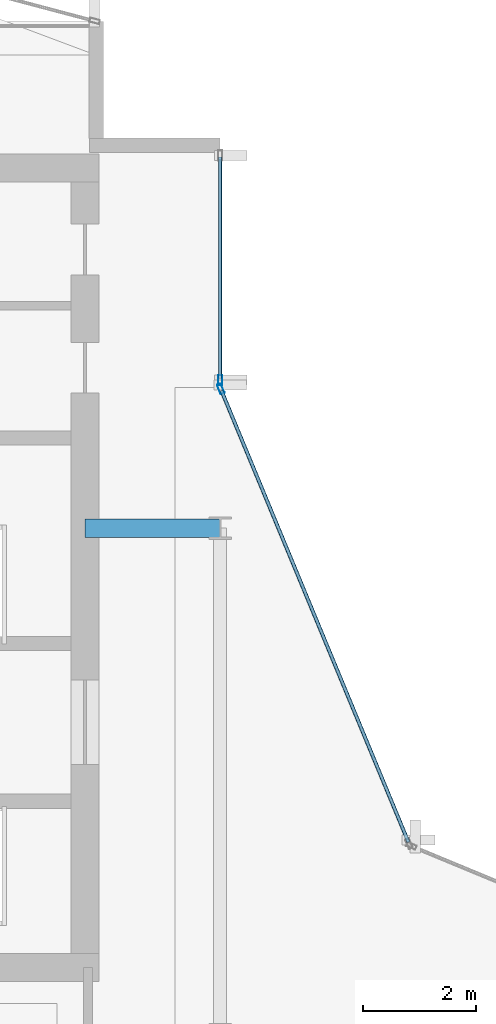
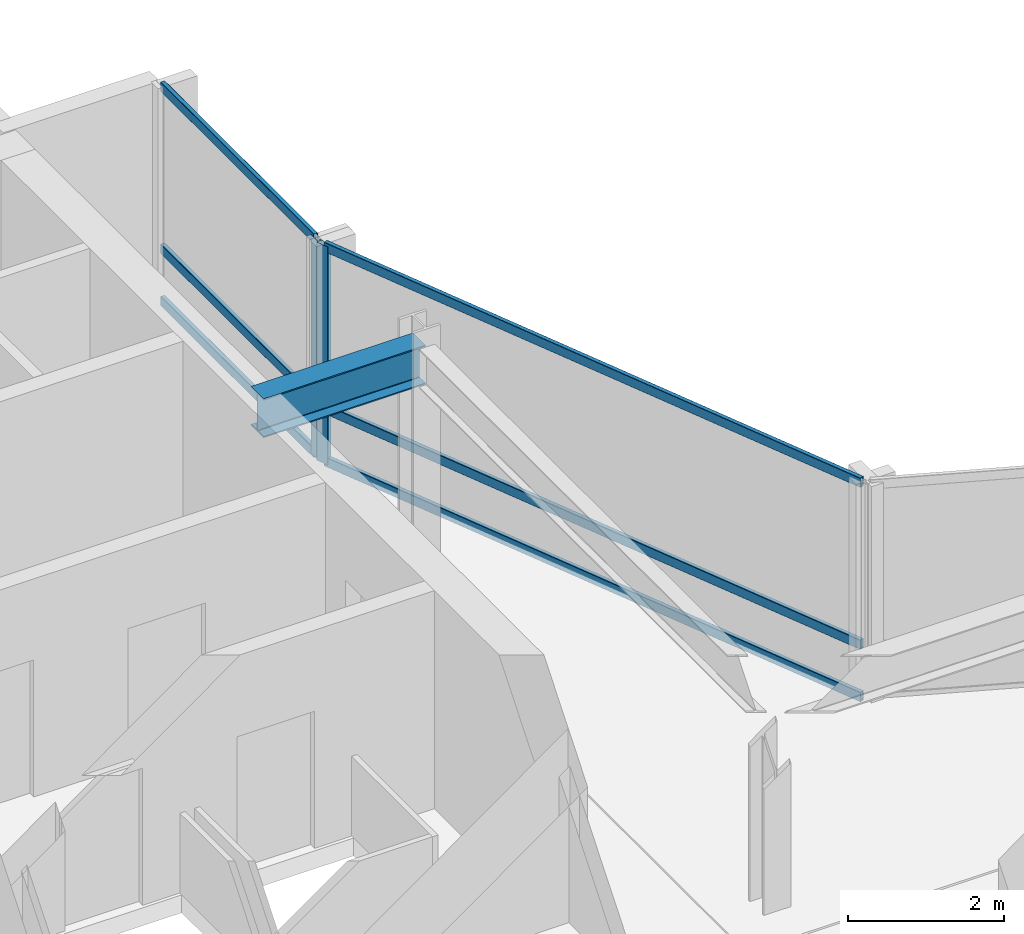
# One storey, part 17 of 28: 8 members, 1 beam, 2 elements without a shape of their own.
"""IFC4 building model written with IfcOpenShell, lengths in metres."""

import ifcopenshell
import ifcopenshell.guid

model = None  # the IFC model being written
_history = None  # IfcOwnerHistory: only IFC2X3 demands one
_inside = {}  # id of a spatial element -> (the spatial element, [elements in it])
_under = {}  # id of a project, library or spatial element -> (it, [spatial elements below it])
_declared = {}  # id of a project -> (the project, [libraries it declares])
_typed = {}  # id of a type object -> (the type object, [elements of that type])
_made_of = {}  # id of a material, layer set ... -> (it, [elements and type objects made of it])


def new_model(schema):
    """Start an empty IFC model of exactly this schema.

    Asked for "IFC4X3", IfcOpenShell would pick the latest addendum, in which some entities
    have other attributes; the version numbers below select the first issue.
    IFC2X3 requires an IfcOwnerHistory on every rooted entity: one is made here for all.
    """
    global model, _history
    if schema == "IFC4X3":
        model = ifcopenshell.file(schema_version=(4, 3, 0, 0))
    else:
        model = ifcopenshell.file(schema=schema)
    _inside.clear()
    _under.clear()
    _declared.clear()
    _typed.clear()
    _made_of.clear()
    _history = None
    if model.schema == "IFC2X3":
        org = make("IfcOrganization", Name="unknown")
        user = make(
            "IfcPersonAndOrganization",
            ThePerson=make("IfcPerson", FamilyName="unknown"),
            TheOrganization=org,
        )
        app = make(
            "IfcApplication",
            ApplicationDeveloper=org,
            Version="unknown",
            ApplicationFullName="unknown",
            ApplicationIdentifier="unknown",
        )
        _history = make(
            "IfcOwnerHistory",
            OwningUser=user,
            OwningApplication=app,
            ChangeAction="ADDED",
            CreationDate=0,
        )
    return model


def make(cls, **values):
    """One entity of the class cls with the attributes given. An attribute that is None is left unset."""
    return model.create_entity(
        cls, **{name: value for name, value in values.items() if value is not None}
    )


def rooted(cls, **values):
    """An entity with a GlobalId (a new one), such as an element, a storey or a relation."""
    return make(cls, GlobalId=ifcopenshell.guid.new(), OwnerHistory=_history, **values)


def si_unit(unit_type, name, prefix=None):
    """IfcSIUnit, for example si_unit("LENGTHUNIT", "METRE", prefix="MILLI")."""
    return make("IfcSIUnit", UnitType=unit_type, Prefix=prefix, Name=name)


def assignment(units):
    """IfcUnitAssignment: the units of a project."""
    return None if units is None else make("IfcUnitAssignment", Units=units)


def point(xyz):
    """IfcCartesianPoint."""
    return None if xyz is None else make("IfcCartesianPoint", Coordinates=xyz)


def direction(xyz):
    """IfcDirection."""
    return None if xyz is None else make("IfcDirection", DirectionRatios=xyz)


def frame(location, z_axis=None, x_axis=None):
    """IfcAxis2Placement3D, a coordinate frame: its origin and axes. An axis left out is left unset."""
    return make(
        "IfcAxis2Placement3D",
        Location=point(location),
        Axis=direction(z_axis),
        RefDirection=direction(x_axis),
    )


def frame_2d(location, x_axis=None):
    """IfcAxis2Placement2D, a coordinate frame in the plane: its origin and x axis."""
    return make(
        "IfcAxis2Placement2D", Location=point(location), RefDirection=direction(x_axis)
    )


def origin():
    """The frame at (0, 0, 0) with its axes left unset."""
    return frame((0.0, 0.0, 0.0))


def origin_2d():
    """The frame at (0, 0) in the plane with its x axis left unset."""
    return frame_2d((0.0, 0.0))


def place(relative_to, where):
    """IfcLocalPlacement: puts the frame where relative to a parent placement (None: the world)."""
    return make(
        "IfcLocalPlacement", PlacementRelTo=relative_to, RelativePlacement=where
    )


def context(
    kind, dimensions, precision=None, world=None, true_north=None, identifier=None
):
    """IfcGeometricRepresentationContext, for example the 3D "Model" context."""
    return make(
        "IfcGeometricRepresentationContext",
        ContextIdentifier=identifier,
        ContextType=kind,
        CoordinateSpaceDimension=dimensions,
        Precision=precision,
        WorldCoordinateSystem=world,
        TrueNorth=true_north,
    )


def subcontext(parent, identifier, kind, view, scale=None):
    """IfcGeometricRepresentationSubContext, for example "Body" below "Model"."""
    return make(
        "IfcGeometricRepresentationSubContext",
        ContextIdentifier=identifier,
        ContextType=kind,
        ParentContext=parent,
        TargetScale=scale,
        TargetView=view,
    )


def project(units=None, contexts=None):
    """IfcProject with its units and contexts."""
    return rooted(
        "IfcProject",
        Name="project",
        RepresentationContexts=contexts,
        UnitsInContext=assignment(units),
    )


def spatial(cls, under=None, at=None, **own):
    """A site, building, storey or space (cls), placed at a placement, below another one or the project."""
    s = rooted(cls, ObjectPlacement=at, **own)
    if under is not None:
        _under.setdefault(under.id(), (under, []))[1].append(s)
    return s


def profile(cls, at=None, kind="AREA", **sizes):
    """A parametric profile (cls). Its sizes go by their IFC names, for example OverallWidth=200.0."""
    return make(cls, ProfileType=kind, Position=at, **sizes)


def hollow_rectangle(**sizes):
    """IfcRectangleHollowProfileDef."""
    return profile("IfcRectangleHollowProfileDef", **sizes)


def i_section(**sizes):
    """IfcIShapeProfileDef."""
    return profile("IfcIShapeProfileDef", **sizes)


def extrude(swept, where, along, depth):
    """IfcExtrudedAreaSolid: the profile swept, set in the frame where, extruded along a direction by depth."""
    return make(
        "IfcExtrudedAreaSolid",
        SweptArea=swept,
        Position=where,
        ExtrudedDirection=direction(along),
        Depth=depth,
    )


def shape(context_of_items, identifier, shape_type, items):
    """IfcShapeRepresentation: the items that make up one representation, for example the "Body"."""
    return make(
        "IfcShapeRepresentation",
        ContextOfItems=context_of_items,
        RepresentationIdentifier=identifier,
        RepresentationType=shape_type,
        Items=items,
    )


def material(Name=None, Category=None):
    """IfcMaterial."""
    return make("IfcMaterial", Name=Name, Category=Category)


def layer(
    of_material, thickness, ventilated=None, Name=None, Category=None, Priority=None
):
    """IfcMaterialLayer: one layer of a wall or slab, of a material (None: an air gap)."""
    return make(
        "IfcMaterialLayer",
        Material=of_material,
        LayerThickness=thickness,
        IsVentilated=ventilated,
        Name=Name,
        Category=Category,
        Priority=Priority,
    )


def layer_set(layers, Name=None):
    """IfcMaterialLayerSet."""
    return make("IfcMaterialLayerSet", MaterialLayers=layers, LayerSetName=Name)


def material_profile(
    of_material, cross_section, Name=None, Category=None, Priority=None
):
    """IfcMaterialProfile: a cross section and its material."""
    return make(
        "IfcMaterialProfile",
        Name=Name,
        Material=of_material,
        Profile=cross_section,
        Priority=Priority,
        Category=Category,
    )


def profile_set(profiles, Name=None, composite=None):
    """IfcMaterialProfileSet."""
    return make(
        "IfcMaterialProfileSet",
        Name=Name,
        MaterialProfiles=profiles,
        CompositeProfile=composite,
    )


def made_of(thing, what):
    """Note that an element or type object is made of a material, layer set ...; save() writes the relation."""
    if what is not None:
        _made_of.setdefault(what.id(), (what, []))[1].append(thing)
    return thing


def type_object(cls, material=None, **own):
    """A type object (cls), such as IfcWallType, which elements share."""
    return made_of(rooted(cls, **own), material)


def element(
    cls,
    number,
    at=None,
    inside=None,
    cuts=None,
    type_object=None,
    material=None,
    context=None,
    identifier="Body",
    shape_type=None,
    held_by="IfcProductDefinitionShape",
    body=None,
    shapes=None,
    **own,
):
    """One element of the class cls, such as IfcWall. Its Tag is "e" and its number.

    at: its placement. inside: the storey or other place that contains it. cuts: it is an
    opening in that element (IfcRelVoidsElement). A single representation is given by context,
    identifier, shape_type and body (its items); several are given by shapes. held_by: the class
    of the entity that holds the representations. save() writes the other relations.
    """
    e = rooted(cls, Tag="e%d" % number, ObjectPlacement=at, **own)
    if body is not None:
        shapes = [shape(context, identifier, shape_type, body)]
    if shapes is not None:
        e.Representation = make(held_by, Representations=shapes)
    if inside is not None:
        _inside.setdefault(inside.id(), (inside, []))[1].append(e)
    if cuts is not None:
        rooted(
            "IfcRelVoidsElement", RelatingBuildingElement=cuts, RelatedOpeningElement=e
        )
    if type_object is not None:
        _typed.setdefault(type_object.id(), (type_object, []))[1].append(e)
    return made_of(e, material)


def aggregate(whole, parts):
    """IfcRelAggregates: a whole, such as a stair, and the parts it consists of."""
    return rooted("IfcRelAggregates", RelatingObject=whole, RelatedObjects=parts)


def save(model, path):
    """Write the relations noted so far, then the file.

    IfcRelAggregates (storeys below a building ...), IfcRelContainedInSpatialStructure (elements
    in a storey), IfcRelDefinesByType, IfcRelAssociatesMaterial and IfcRelDeclares: one each for
    every whole, place, type object, material and project.
    """
    for whole, parts in _under.values():
        aggregate(whole, parts)
    for where, things in _inside.values():
        rooted(
            "IfcRelContainedInSpatialStructure",
            RelatedElements=things,
            RelatingStructure=where,
        )
    for kind, things in _typed.values():
        rooted("IfcRelDefinesByType", RelatedObjects=things, RelatingType=kind)
    for what, things in _made_of.values():
        rooted("IfcRelAssociatesMaterial", RelatedObjects=things, RelatingMaterial=what)
    for by, libraries in _declared.values():
        rooted("IfcRelDeclares", RelatingContext=by, RelatedDefinitions=libraries)
    model.write(path)


model = new_model("IFC4")

# Units and contexts
model_context = context("Model", 3, precision=1e-05, world=origin(), true_north=direction((0.0, 1.0)))
body_context = subcontext(model_context, "Body", "Model", "MODEL_VIEW")
ifc_project = project(units=[si_unit("LENGTHUNIT", "METRE"), si_unit("AREAUNIT", "SQUARE_METRE"), si_unit("VOLUMEUNIT", "CUBIC_METRE"), si_unit("PLANEANGLEUNIT", "RADIAN"), si_unit("MASSUNIT", "GRAM", prefix="KILO")], contexts=[model_context])

# Site, building, storey
site_placement = place(None, origin())
site = spatial("IfcSite", under=ifc_project, at=site_placement, CompositionType="ELEMENT")
building_placement = place(site_placement, origin())
building = spatial("IfcBuilding", under=site, at=building_placement, Name="Solvaryn Broadcast Tower", CompositionType="ELEMENT")
storey_placement = place(building_placement, frame((0.0, 0.0, 217.300048828125)))
storey = spatial("IfcBuildingStorey", under=building, at=storey_placement, Name="L54", CompositionType="ELEMENT", Elevation=217.300048828125)

# Beam
ifc_material_1 = material(Name="Steel ASTM A992 Grade 50", Category="steel")
ifc_material_profile_1 = material_profile(ifc_material_1, i_section(OverallWidth=0.323974609375, OverallDepth=0.611083984375, WebThickness=0.0126953125, FlangeThickness=0.01904296875, FilletRadius=0.014892578125, at=origin_2d()))
ifc_profile_set_1 = profile_set([ifc_material_profile_1], Name="Steel ASTM A992 Grade 50")
beam_type = type_object("IfcBeamType", Name="BM-B1-W24X104", PredefinedType="BEAM", material=ifc_profile_set_1)
beam_placement = place(storey_placement, frame((24.60009765625, 36.0, 3.114501953125), z_axis=(1.0, 0.0, 0.0), x_axis=(0.0, 1.0, 0.0)))
element("IfcBeam", 1, at=beam_placement, inside=storey, type_object=beam_type, Name="L54 Core Tie Beam CTW2", PredefinedType="BEAM", context=body_context, shape_type="SweptSolid", body=[
    extrude(i_section(OverallWidth=0.323974609375, OverallDepth=0.611083984375, WebThickness=0.0126953125, FlangeThickness=0.01904296875, FilletRadius=0.014892578125, at=origin_2d()), origin(), (0.0, 0.0, 1.0), 2.39990234375),
])

# Curtain wall, member
ifc_material_2 = material(Name="Aluminium and Terracotta Unitised Curtain Wall", Category="masonry")
ifc_layer = layer(ifc_material_2, 0.199951171875)
ifc_layer_set = layer_set([ifc_layer], Name="CW-SYS2-LOWMID")
curtain_wall_type = type_object("IfcCurtainWallType", Name="CW-SYS2-LOWMID", PredefinedType="NOTDEFINED", material=ifc_layer_set)
curtain_wall_1_placement = place(storey_placement, origin())
curtain_wall_1 = element("IfcCurtainWall", 2, at=curtain_wall_1_placement, inside=storey, type_object=curtain_wall_type, Name="L54 Curtain Wall IV", PredefinedType="NOTDEFINED")
ifc_material_3 = material(Name="Anodised Aluminium 6063-T6", Category="aluminium")
ifc_material_profile_2 = material_profile(ifc_material_3, hollow_rectangle(XDim=0.074951171875, YDim=0.179931640625, WallThickness=0.00390625, InnerFilletRadius=0.00390625, OuterFilletRadius=0.008056640625, at=origin_2d()))
ifc_profile_set_2 = profile_set([ifc_material_profile_2], Name="Anodised Aluminium 6063-T6")
member_type_1 = type_object("IfcMemberType", Name="CW-MUL-180", PredefinedType="MULLION", material=ifc_profile_set_2)
member_1_placement = place(storey_placement, frame((27.0, 38.6298828125, 0.0), z_axis=(0.0, 0.0, 1.0), x_axis=(1.0, 0.0, 0.0)))
member_1 = element("IfcMember", 3, at=member_1_placement, type_object=member_type_1, Name="CWS2 mullion 2", PredefinedType="MULLION", context=body_context, shape_type="SweptSolid", body=[
    extrude(hollow_rectangle(XDim=0.074951171875, YDim=0.179931640625, WallThickness=0.00390625, InnerFilletRadius=0.00390625, OuterFilletRadius=0.008056640625, at=origin_2d()), origin(), (0.0, 0.0, 1.0), 3.419921875),
])

curtain_wall_2_placement = place(storey_placement, origin())
curtain_wall_2 = element("IfcCurtainWall", 4, at=curtain_wall_2_placement, inside=storey, type_object=curtain_wall_type, Name="L54 Curtain Wall CN2", PredefinedType="NOTDEFINED")
member_2_placement = place(storey_placement, frame((27.011474609375, 38.47216796875, 0.0), z_axis=(0.0, 0.0, 1.0), x_axis=(-0.923894983957, -0.382646127145, 0.0)))
member_2 = element("IfcMember", 5, at=member_2_placement, type_object=member_type_1, Name="CWS2 mullion 2", PredefinedType="MULLION", context=body_context, shape_type="SweptSolid", body=[
    extrude(hollow_rectangle(XDim=0.074951171875, YDim=0.179931640625, WallThickness=0.00390625, InnerFilletRadius=0.00390625, OuterFilletRadius=0.008056640625, at=origin_2d()), origin(), (0.0, 0.0, 1.0), 3.419921875),
])

# Member
ifc_material_4 = material(Name="Anodised Aluminium 6063-T6", Category="aluminium")
ifc_material_profile_3 = material_profile(ifc_material_4, hollow_rectangle(XDim=0.06494140625, YDim=0.14990234375, WallThickness=0.00390625, InnerFilletRadius=0.00390625, OuterFilletRadius=0.008056640625, at=origin_2d()))
ifc_profile_set_3 = profile_set([ifc_material_profile_3], Name="Anodised Aluminium 6063-T6")
member_type_2 = type_object("IfcMemberType", Name="CW-TRN-150", PredefinedType="USERDEFINED", material=ifc_profile_set_3)
member_3_placement = place(storey_placement, frame((27.0, 42.590087890625, 0.030029296875), z_axis=(0.0, -1.0, 0.0), x_axis=(1.0, 0.0, 0.0)))
member_3 = element("IfcMember", 6, at=member_3_placement, type_object=member_type_2, Name="CWS2 transom 1.1", ObjectType="TRANSOM", PredefinedType="USERDEFINED", context=body_context, shape_type="SweptSolid", body=[
    extrude(hollow_rectangle(XDim=0.06494140625, YDim=0.14990234375, WallThickness=0.00390625, InnerFilletRadius=0.00390625, OuterFilletRadius=0.008056640625, at=origin_2d()), origin(), (0.0, 0.0, 1.0), 3.93017578125),
])

member_4_placement = place(storey_placement, frame((27.0, 42.590087890625, 0.849853515625), z_axis=(0.0, -1.0, 0.0), x_axis=(1.0, 0.0, 0.0)))
member_4 = element("IfcMember", 7, at=member_4_placement, type_object=member_type_2, Name="CWS2 transom 1.2", ObjectType="TRANSOM", PredefinedType="USERDEFINED", context=body_context, shape_type="SweptSolid", body=[
    extrude(hollow_rectangle(XDim=0.06494140625, YDim=0.14990234375, WallThickness=0.00390625, InnerFilletRadius=0.00390625, OuterFilletRadius=0.008056640625, at=origin_2d()), origin(), (0.0, 0.0, 1.0), 3.93017578125),
])

member_5_placement = place(storey_placement, frame((27.0, 42.590087890625, 3.389892578125), z_axis=(0.0, -1.0, 0.0), x_axis=(1.0, 0.0, 0.0)))
member_5 = element("IfcMember", 8, at=member_5_placement, type_object=member_type_2, Name="CWS2 transom 1.3", ObjectType="TRANSOM", PredefinedType="USERDEFINED", context=body_context, shape_type="SweptSolid", body=[
    extrude(hollow_rectangle(XDim=0.06494140625, YDim=0.14990234375, WallThickness=0.00390625, InnerFilletRadius=0.00390625, OuterFilletRadius=0.008056640625, at=origin_2d()), origin(), (0.0, 0.0, 1.0), 3.93017578125),
])

aggregate(curtain_wall_1, [member_1, member_3, member_4, member_5])

member_6_placement = place(storey_placement, frame((30.344970703125, 30.42333984375, 0.030029296875), z_axis=(-0.382635748975, 0.923899282177, 0.0), x_axis=(-0.923899282177, -0.382635748975, 0.0)))
member_6 = element("IfcMember", 9, at=member_6_placement, type_object=member_type_2, Name="CWS2 transom 1.1", ObjectType="TRANSOM", PredefinedType="USERDEFINED", context=body_context, shape_type="SweptSolid", body=[
    extrude(hollow_rectangle(XDim=0.06494140625, YDim=0.14990234375, WallThickness=0.00390625, InnerFilletRadius=0.00390625, OuterFilletRadius=0.008056640625, at=origin_2d()), origin(), (0.0, 0.0, 1.0), 8.681884765625),
])

member_7_placement = place(storey_placement, frame((30.344970703125, 30.42333984375, 0.849853515625), z_axis=(-0.382635748975, 0.923899282177, 0.0), x_axis=(-0.923899282177, -0.382635748975, 0.0)))
member_7 = element("IfcMember", 10, at=member_7_placement, type_object=member_type_2, Name="CWS2 transom 1.2", ObjectType="TRANSOM", PredefinedType="USERDEFINED", context=body_context, shape_type="SweptSolid", body=[
    extrude(hollow_rectangle(XDim=0.06494140625, YDim=0.14990234375, WallThickness=0.00390625, InnerFilletRadius=0.00390625, OuterFilletRadius=0.008056640625, at=origin_2d()), origin(), (0.0, 0.0, 1.0), 8.681884765625),
])

member_8_placement = place(storey_placement, frame((30.344970703125, 30.42333984375, 3.389892578125), z_axis=(-0.382635748975, 0.923899282177, 0.0), x_axis=(-0.923899282177, -0.382635748975, 0.0)))
member_8 = element("IfcMember", 11, at=member_8_placement, type_object=member_type_2, Name="CWS2 transom 1.3", ObjectType="TRANSOM", PredefinedType="USERDEFINED", context=body_context, shape_type="SweptSolid", body=[
    extrude(hollow_rectangle(XDim=0.06494140625, YDim=0.14990234375, WallThickness=0.00390625, InnerFilletRadius=0.00390625, OuterFilletRadius=0.008056640625, at=origin_2d()), origin(), (0.0, 0.0, 1.0), 8.681884765625),
])

aggregate(curtain_wall_2, [member_2, member_6, member_7, member_8])

save(model, "model.ifc")
